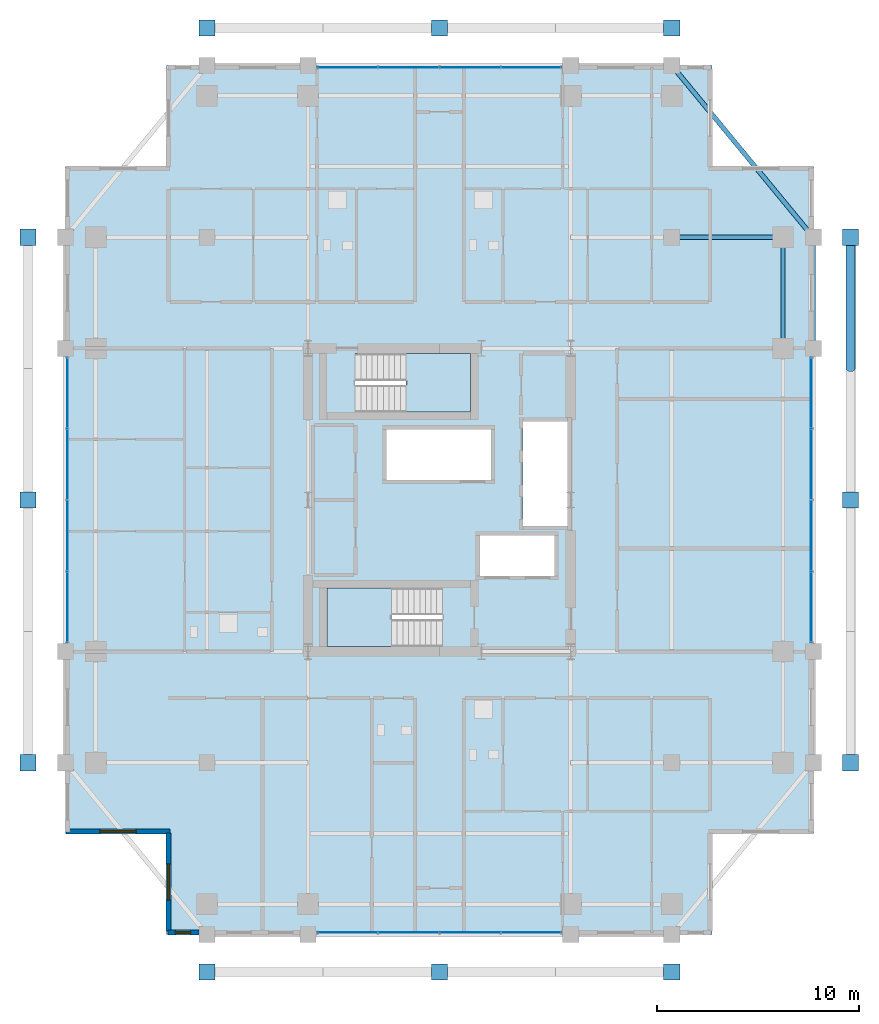
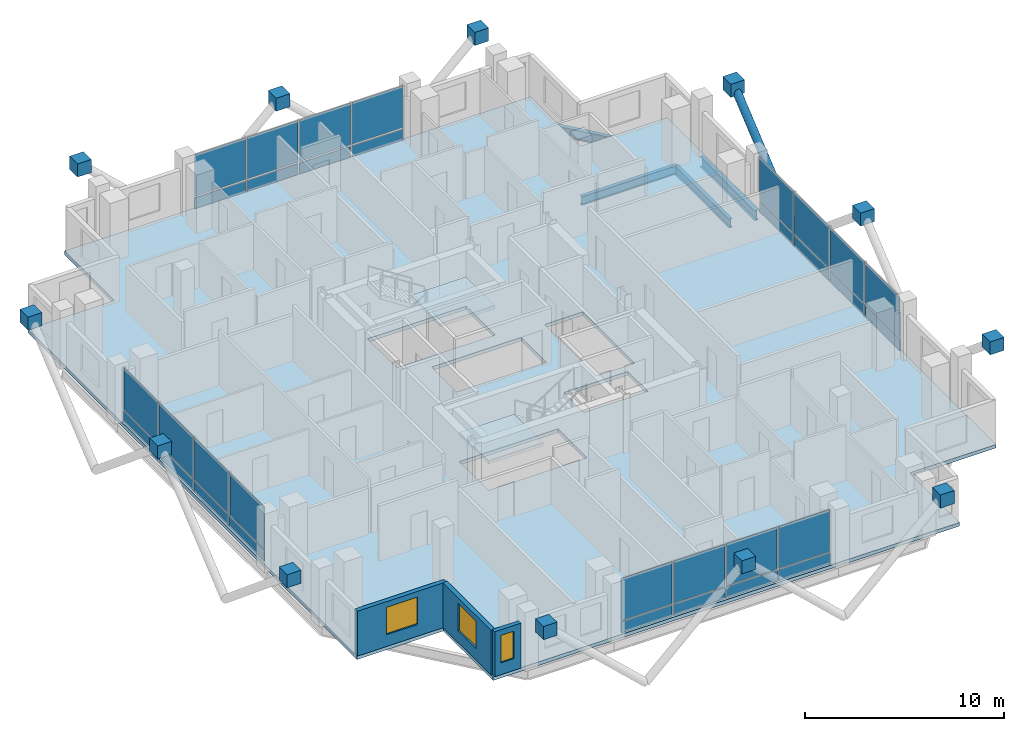
# One storey, part 17 of 24: 44 plates, 4 beams, 3 slabs, 3 walls, 3 windows, 1 member, 3 openings, 6 elements without a shape of their own.
"""IFC4 building model written with IfcOpenShell, lengths in metres."""

from ifc_helpers import new_model, si_unit, direction, frame, frame_2d, origin, origin_2d, place, context, subcontext, project, spatial, polyline, rectangle, hollow_circle, i_section, outline, extrude, material, layer, layer_set, material_profile, profile_set, type_object, element, fill, aggregate, save


model = new_model("IFC4")

# Units and contexts
model_context = context("Model", 3, precision=1e-05, world=origin(), true_north=direction((0.0, 1.0)))
body_context = subcontext(model_context, "Body", "Model", "MODEL_VIEW")
ifc_project = project(units=[si_unit("LENGTHUNIT", "METRE"), si_unit("AREAUNIT", "SQUARE_METRE"), si_unit("VOLUMEUNIT", "CUBIC_METRE"), si_unit("PLANEANGLEUNIT", "RADIAN"), si_unit("MASSUNIT", "GRAM", prefix="KILO")], contexts=[model_context])

# Site, building, storey
site_placement = place(None, origin())
site = spatial("IfcSite", under=ifc_project, at=site_placement, CompositionType="ELEMENT")
building_placement = place(site_placement, origin())
building = spatial("IfcBuilding", under=site, at=building_placement, Name="Barlavira Tower and Art Museum", CompositionType="ELEMENT")
storey_placement = place(building_placement, frame((0.0, 0.0, 183.60009765625)))
storey = spatial("IfcBuildingStorey", under=building, at=storey_placement, Name="L47", CompositionType="ELEMENT", Elevation=183.60009765625)

# Member
ifc_material_1 = material(Name="Steel S355", Category="steel")
ifc_material_profile_1 = material_profile(ifc_material_1, hollow_circle(Radius=0.228515625, WallThickness=0.02001953125, at=origin_2d()), Name="CHS 457.0x20.0")
ifc_profile_set_1 = profile_set([ifc_material_profile_1], Name="Steel S355")
member_type = type_object("IfcMemberType", Name="Pale-Metal Exoskeleton Diagrid Tube CHS 457x20 Steel S355", PredefinedType="BRACE", material=ifc_profile_set_1)
member_placement = place(storey_placement, frame((20.35009765625, 6.5, -1.920166015625), z_axis=(0.0, 0.76918185268, 0.639029950399), x_axis=(-1.0, 0.0, 0.0)))
element("IfcMember", 1, at=member_placement, inside=storey, type_object=member_type, Name="L47 Exoskeleton Diagrid Tube E", PredefinedType="BRACE", context=body_context, shape_type="SweptSolid", body=[
    extrude(hollow_circle(Radius=0.228515625, WallThickness=0.02001953125, at=origin_2d()), origin(), (0.0, 0.0, 1.0), 8.450439453125),
])

# Beams
ifc_material_profile_2 = material_profile(ifc_material_1, i_section(OverallWidth=0.22998046875, OverallDepth=0.616943359375, WebThickness=0.01318359375, FlangeThickness=0.022216796875, at=origin_2d()), Name="W610x140.0")
ifc_profile_set_2 = profile_set([ifc_material_profile_2], Name="Steel S355")
beam_type_1 = type_object("IfcBeamType", Name="Upper Shaft Spandrel Edge Beam W610x140 Steel S355", PredefinedType="SPANDREL", material=ifc_profile_set_2)
beam_1_placement = place(storey_placement, frame((18.5, 7.5, -0.528564453125), z_axis=(0.0, 1.0, 0.0), x_axis=(-1.0, 0.0, 0.0)))
element("IfcBeam", 2, at=beam_1_placement, inside=storey, type_object=beam_type_1, Name="L47 Spandrel 7", PredefinedType="SPANDREL", context=body_context, shape_type="SweptSolid", body=[
    extrude(i_section(OverallWidth=0.22998046875, OverallDepth=0.616943359375, WebThickness=0.01318359375, FlangeThickness=0.022216796875, at=origin_2d()), origin(), (0.0, 0.0, 1.0), 5.5),
])
beam_2_placement = place(storey_placement, frame((18.5, 13.0, -0.528564453125), z_axis=(-0.635707252861, 0.771930235617, 0.0), x_axis=(-0.771930235617, -0.635707252861, 0.0)))
element("IfcBeam", 3, at=beam_2_placement, inside=storey, type_object=beam_type_1, Name="L47 Spandrel 8", PredefinedType="SPANDREL", context=body_context, shape_type="SweptSolid", body=[
    extrude(i_section(OverallWidth=0.22998046875, OverallDepth=0.616943359375, WebThickness=0.01318359375, FlangeThickness=0.022216796875, at=origin_2d()), origin(), (0.0, 0.0, 1.0), 11.011474609375),
])
ifc_material_profile_3 = material_profile(ifc_material_1, i_section(OverallWidth=0.2109375, OverallDepth=0.5390625, WebThickness=0.01171875, FlangeThickness=0.018798828125, at=origin_2d()), Name="W530x109.0")
ifc_profile_set_3 = profile_set([ifc_material_profile_3], Name="Steel S355")
beam_type_2 = type_object("IfcBeamType", Name="Zone 3-4 Primary Floor Girder W530x109 Steel S355", PredefinedType="BEAM", material=ifc_profile_set_3)
for number, where, z_axis, x_axis, name in (
    (4, (17.0, 7.5, -0.489501953125), (0.0, 1.0, 0.0), (-1.0, 0.0, 0.0), "L47 Girder M-E3"),
    (5, (11.5, 13.0, -0.489501953125), (1.0, 0.0, 0.0), (0.0, 1.0, 0.0), "L47 Girder I-N4"),
):
    element("IfcBeam", number, at=place(storey_placement, frame(where, z_axis=z_axis, x_axis=x_axis)), inside=storey, type_object=beam_type_2, Name=name, PredefinedType="BEAM", context=body_context, shape_type="SweptSolid", body=[
        extrude(i_section(OverallWidth=0.2109375, OverallDepth=0.5390625, WebThickness=0.01171875, FlangeThickness=0.018798828125, at=origin_2d()), origin(), (0.0, 0.0, 1.0), 5.5),
    ])

# Curtain wall, plates
ifc_material_2 = material(Name="Low-iron coastal laminated glass", Category="glass")
ifc_layer_1 = layer(ifc_material_2, 0.199951171875, Name="Low-iron coastal laminated glass")
ifc_layer_set_1 = layer_set([ifc_layer_1], Name="Low-iron coastal laminated glass")
curtain_wall_type = type_object("IfcCurtainWallType", Name="Pale-Metal Unitised Curtain Wall Zone 3", PredefinedType="NOTDEFINED", material=ifc_layer_set_1)
curtain_wall_1_placement = place(storey_placement, origin())
curtain_wall_1 = element("IfcCurtainWall", 6, at=curtain_wall_1_placement, inside=storey, type_object=curtain_wall_type, Name="L47 Curtain Wall CW3-L47-S-B3", PredefinedType="NOTDEFINED")
ifc_material_3 = material(Name="Pale anodised aluminium", Category="aluminium")
ifc_layer_2 = layer(ifc_material_3, 0.044921875, Name="Pale anodised aluminium")
ifc_layer_set_2 = layer_set([ifc_layer_2], Name="Pale anodised aluminium")
plate_type_1 = type_object("IfcPlateType", Name="Curtain Wall Pale-Metal Spandrel Panel 45", PredefinedType="CURTAIN_PANEL", material=ifc_layer_set_2)
plate_1_placement = place(storey_placement, frame((-4.56005859375, -21.39990234375, 0.039794921875), z_axis=(0.0, 0.0, 1.0), x_axis=(1.0, 0.0, 0.0)))
plate_1 = element("IfcPlate", 7, at=plate_1_placement, type_object=plate_type_1, Name="CW3-L47-S-B3 Spandrel Panel 0", PredefinedType="CURTAIN_PANEL", context=body_context, shape_type="SweptSolid", body=[
    extrude(rectangle(XDim=2.93994140625, YDim=0.044921875, at=origin_2d()), origin(), (0.0, 0.0, 1.0), 0.6640625),
])
plate_2_placement = place(storey_placement, frame((-1.52001953125, -21.39990234375, 0.039794921875), z_axis=(0.0, 0.0, 1.0), x_axis=(1.0, 0.0, 0.0)))
plate_2 = element("IfcPlate", 8, at=plate_2_placement, type_object=plate_type_1, Name="CW3-L47-S-B3 Spandrel Panel 1", PredefinedType="CURTAIN_PANEL", context=body_context, shape_type="SweptSolid", body=[
    extrude(rectangle(XDim=2.93994140625, YDim=0.044921875, at=origin_2d()), origin(), (0.0, 0.0, 1.0), 0.6640625),
])
plate_3_placement = place(storey_placement, frame((1.52001953125, -21.39990234375, 0.039794921875), z_axis=(0.0, 0.0, 1.0), x_axis=(1.0, 0.0, 0.0)))
plate_3 = element("IfcPlate", 9, at=plate_3_placement, type_object=plate_type_1, Name="CW3-L47-S-B3 Spandrel Panel 2", PredefinedType="CURTAIN_PANEL", context=body_context, shape_type="SweptSolid", body=[
    extrude(rectangle(XDim=2.93994140625, YDim=0.044921875, at=origin_2d()), origin(), (0.0, 0.0, 1.0), 0.6640625),
])
plate_4_placement = place(storey_placement, frame((4.56005859375, -21.39990234375, 0.039794921875), z_axis=(0.0, 0.0, 1.0), x_axis=(1.0, 0.0, 0.0)))
plate_4 = element("IfcPlate", 10, at=plate_4_placement, type_object=plate_type_1, Name="CW3-L47-S-B3 Spandrel Panel 3", PredefinedType="CURTAIN_PANEL", context=body_context, shape_type="SweptSolid", body=[
    extrude(rectangle(XDim=2.93994140625, YDim=0.044921875, at=origin_2d()), origin(), (0.0, 0.0, 1.0), 0.6640625),
])

curtain_wall_2_placement = place(storey_placement, origin())
curtain_wall_2 = element("IfcCurtainWall", 11, at=curtain_wall_2_placement, inside=storey, type_object=curtain_wall_type, Name="L47 Curtain Wall CW3-L47-N-B3", PredefinedType="NOTDEFINED")
plate_5_placement = place(storey_placement, frame((4.56005859375, 21.39990234375, 0.039794921875), z_axis=(0.0, 0.0, 1.0), x_axis=(-1.0, 0.0, 0.0)))
plate_5 = element("IfcPlate", 12, at=plate_5_placement, type_object=plate_type_1, Name="CW3-L47-N-B3 Spandrel Panel 0", PredefinedType="CURTAIN_PANEL", context=body_context, shape_type="SweptSolid", body=[
    extrude(rectangle(XDim=2.93994140625, YDim=0.044921875, at=origin_2d()), origin(), (0.0, 0.0, 1.0), 0.6640625),
])
plate_6_placement = place(storey_placement, frame((1.52001953125, 21.39990234375, 0.039794921875), z_axis=(0.0, 0.0, 1.0), x_axis=(-1.0, 0.0, 0.0)))
plate_6 = element("IfcPlate", 13, at=plate_6_placement, type_object=plate_type_1, Name="CW3-L47-N-B3 Spandrel Panel 1", PredefinedType="CURTAIN_PANEL", context=body_context, shape_type="SweptSolid", body=[
    extrude(rectangle(XDim=2.93994140625, YDim=0.044921875, at=origin_2d()), origin(), (0.0, 0.0, 1.0), 0.6640625),
])
plate_7_placement = place(storey_placement, frame((-1.52001953125, 21.39990234375, 0.039794921875), z_axis=(0.0, 0.0, 1.0), x_axis=(-1.0, 0.0, 0.0)))
plate_7 = element("IfcPlate", 14, at=plate_7_placement, type_object=plate_type_1, Name="CW3-L47-N-B3 Spandrel Panel 2", PredefinedType="CURTAIN_PANEL", context=body_context, shape_type="SweptSolid", body=[
    extrude(rectangle(XDim=2.93994140625, YDim=0.044921875, at=origin_2d()), origin(), (0.0, 0.0, 1.0), 0.6640625),
])
plate_8_placement = place(storey_placement, frame((-4.56005859375, 21.39990234375, 0.039794921875), z_axis=(0.0, 0.0, 1.0), x_axis=(-1.0, 0.0, 0.0)))
plate_8 = element("IfcPlate", 15, at=plate_8_placement, type_object=plate_type_1, Name="CW3-L47-N-B3 Spandrel Panel 3", PredefinedType="CURTAIN_PANEL", context=body_context, shape_type="SweptSolid", body=[
    extrude(rectangle(XDim=2.93994140625, YDim=0.044921875, at=origin_2d()), origin(), (0.0, 0.0, 1.0), 0.6640625),
])

curtain_wall_3_placement = place(storey_placement, origin())
curtain_wall_3 = element("IfcCurtainWall", 16, at=curtain_wall_3_placement, inside=storey, type_object=curtain_wall_type, Name="L47 Curtain Wall CW3-L47-W-B3", PredefinedType="NOTDEFINED")
plate_9_placement = place(storey_placement, frame((-18.39990234375, 5.31005859375, 0.039794921875), z_axis=(0.0, 0.0, 1.0), x_axis=(0.0, -1.0, 0.0)))
plate_9 = element("IfcPlate", 17, at=plate_9_placement, type_object=plate_type_1, Name="CW3-L47-W-B3 Spandrel Panel 0", PredefinedType="CURTAIN_PANEL", context=body_context, shape_type="SweptSolid", body=[
    extrude(rectangle(XDim=3.43994140625, YDim=0.044921875, at=origin_2d()), origin(), (0.0, 0.0, 1.0), 0.6640625),
])
plate_10_placement = place(storey_placement, frame((-18.39990234375, 1.77001953125, 0.039794921875), z_axis=(0.0, 0.0, 1.0), x_axis=(0.0, -1.0, 0.0)))
plate_10 = element("IfcPlate", 18, at=plate_10_placement, type_object=plate_type_1, Name="CW3-L47-W-B3 Spandrel Panel 1", PredefinedType="CURTAIN_PANEL", context=body_context, shape_type="SweptSolid", body=[
    extrude(rectangle(XDim=3.43994140625, YDim=0.044921875, at=origin_2d()), origin(), (0.0, 0.0, 1.0), 0.6640625),
])
plate_11_placement = place(storey_placement, frame((-18.39990234375, -1.77001953125, 0.039794921875), z_axis=(0.0, 0.0, 1.0), x_axis=(0.0, -1.0, 0.0)))
plate_11 = element("IfcPlate", 19, at=plate_11_placement, type_object=plate_type_1, Name="CW3-L47-W-B3 Spandrel Panel 2", PredefinedType="CURTAIN_PANEL", context=body_context, shape_type="SweptSolid", body=[
    extrude(rectangle(XDim=3.43994140625, YDim=0.044921875, at=origin_2d()), origin(), (0.0, 0.0, 1.0), 0.6640625),
])
plate_12_placement = place(storey_placement, frame((-18.39990234375, -5.31005859375, 0.039794921875), z_axis=(0.0, 0.0, 1.0), x_axis=(0.0, -1.0, 0.0)))
plate_12 = element("IfcPlate", 20, at=plate_12_placement, type_object=plate_type_1, Name="CW3-L47-W-B3 Spandrel Panel 3", PredefinedType="CURTAIN_PANEL", context=body_context, shape_type="SweptSolid", body=[
    extrude(rectangle(XDim=3.43994140625, YDim=0.044921875, at=origin_2d()), origin(), (0.0, 0.0, 1.0), 0.6640625),
])

curtain_wall_4_placement = place(storey_placement, origin())
curtain_wall_4 = element("IfcCurtainWall", 21, at=curtain_wall_4_placement, inside=storey, type_object=curtain_wall_type, Name="L47 Curtain Wall CW3-L47-E-B3", PredefinedType="NOTDEFINED")
plate_13_placement = place(storey_placement, frame((18.39990234375, -5.31005859375, 0.039794921875), z_axis=(0.0, 0.0, 1.0), x_axis=(0.0, 1.0, 0.0)))
plate_13 = element("IfcPlate", 22, at=plate_13_placement, type_object=plate_type_1, Name="CW3-L47-E-B3 Spandrel Panel 0", PredefinedType="CURTAIN_PANEL", context=body_context, shape_type="SweptSolid", body=[
    extrude(rectangle(XDim=3.43994140625, YDim=0.044921875, at=origin_2d()), origin(), (0.0, 0.0, 1.0), 0.6640625),
])
plate_14_placement = place(storey_placement, frame((18.39990234375, -1.77001953125, 0.039794921875), z_axis=(0.0, 0.0, 1.0), x_axis=(0.0, 1.0, 0.0)))
plate_14 = element("IfcPlate", 23, at=plate_14_placement, type_object=plate_type_1, Name="CW3-L47-E-B3 Spandrel Panel 1", PredefinedType="CURTAIN_PANEL", context=body_context, shape_type="SweptSolid", body=[
    extrude(rectangle(XDim=3.43994140625, YDim=0.044921875, at=origin_2d()), origin(), (0.0, 0.0, 1.0), 0.6640625),
])
plate_15_placement = place(storey_placement, frame((18.39990234375, 1.77001953125, 0.039794921875), z_axis=(0.0, 0.0, 1.0), x_axis=(0.0, 1.0, 0.0)))
plate_15 = element("IfcPlate", 24, at=plate_15_placement, type_object=plate_type_1, Name="CW3-L47-E-B3 Spandrel Panel 2", PredefinedType="CURTAIN_PANEL", context=body_context, shape_type="SweptSolid", body=[
    extrude(rectangle(XDim=3.43994140625, YDim=0.044921875, at=origin_2d()), origin(), (0.0, 0.0, 1.0), 0.6640625),
])
plate_16_placement = place(storey_placement, frame((18.39990234375, 5.31005859375, 0.039794921875), z_axis=(0.0, 0.0, 1.0), x_axis=(0.0, 1.0, 0.0)))
plate_16 = element("IfcPlate", 25, at=plate_16_placement, type_object=plate_type_1, Name="CW3-L47-E-B3 Spandrel Panel 3", PredefinedType="CURTAIN_PANEL", context=body_context, shape_type="SweptSolid", body=[
    extrude(rectangle(XDim=3.43994140625, YDim=0.044921875, at=origin_2d()), origin(), (0.0, 0.0, 1.0), 0.6640625),
])

# Plate
ifc_layer_3 = layer(ifc_material_2, 0.028076171875, Name="Low-iron coastal laminated glass")
ifc_layer_set_3 = layer_set([ifc_layer_3], Name="Low-iron coastal laminated glass")
plate_type_2 = type_object("IfcPlateType", Name="Curtain Wall Vision Glazing Panel 28", PredefinedType="CURTAIN_PANEL", material=ifc_layer_set_3)
plate_17_placement = place(storey_placement, frame((-4.56005859375, -21.39990234375, 0.7841796875), z_axis=(0.0, 0.0, 1.0), x_axis=(1.0, 0.0, 0.0)))
plate_17 = element("IfcPlate", 26, at=plate_17_placement, type_object=plate_type_2, Name="CW3-L47-S-B3 Vision Glass Panel 0", PredefinedType="CURTAIN_PANEL", context=body_context, shape_type="SweptSolid", body=[
    extrude(rectangle(XDim=2.93994140625, YDim=0.028076171875, at=origin_2d()), origin(), (0.0, 0.0, 1.0), 2.555908203125),
])

plate_18_placement = place(storey_placement, frame((-1.52001953125, -21.39990234375, 0.7841796875), z_axis=(0.0, 0.0, 1.0), x_axis=(1.0, 0.0, 0.0)))
plate_18 = element("IfcPlate", 27, at=plate_18_placement, type_object=plate_type_2, Name="CW3-L47-S-B3 Vision Glass Panel 1", PredefinedType="CURTAIN_PANEL", context=body_context, shape_type="SweptSolid", body=[
    extrude(rectangle(XDim=2.93994140625, YDim=0.028076171875, at=origin_2d()), origin(), (0.0, 0.0, 1.0), 2.555908203125),
])

plate_19_placement = place(storey_placement, frame((1.52001953125, -21.39990234375, 0.7841796875), z_axis=(0.0, 0.0, 1.0), x_axis=(1.0, 0.0, 0.0)))
plate_19 = element("IfcPlate", 28, at=plate_19_placement, type_object=plate_type_2, Name="CW3-L47-S-B3 Vision Glass Panel 2", PredefinedType="CURTAIN_PANEL", context=body_context, shape_type="SweptSolid", body=[
    extrude(rectangle(XDim=2.93994140625, YDim=0.028076171875, at=origin_2d()), origin(), (0.0, 0.0, 1.0), 2.555908203125),
])

plate_20_placement = place(storey_placement, frame((4.56005859375, -21.39990234375, 0.7841796875), z_axis=(0.0, 0.0, 1.0), x_axis=(1.0, 0.0, 0.0)))
plate_20 = element("IfcPlate", 29, at=plate_20_placement, type_object=plate_type_2, Name="CW3-L47-S-B3 Vision Glass Panel 3", PredefinedType="CURTAIN_PANEL", context=body_context, shape_type="SweptSolid", body=[
    extrude(rectangle(XDim=2.93994140625, YDim=0.028076171875, at=origin_2d()), origin(), (0.0, 0.0, 1.0), 2.555908203125),
])

aggregate(curtain_wall_1, [plate_1, plate_17, plate_2, plate_18, plate_3, plate_19, plate_4, plate_20])

plate_21_placement = place(storey_placement, frame((4.56005859375, 21.39990234375, 0.7841796875), z_axis=(0.0, 0.0, 1.0), x_axis=(-1.0, 0.0, 0.0)))
plate_21 = element("IfcPlate", 30, at=plate_21_placement, type_object=plate_type_2, Name="CW3-L47-N-B3 Vision Glass Panel 0", PredefinedType="CURTAIN_PANEL", context=body_context, shape_type="SweptSolid", body=[
    extrude(rectangle(XDim=2.93994140625, YDim=0.028076171875, at=origin_2d()), origin(), (0.0, 0.0, 1.0), 2.555908203125),
])

plate_22_placement = place(storey_placement, frame((1.52001953125, 21.39990234375, 0.7841796875), z_axis=(0.0, 0.0, 1.0), x_axis=(-1.0, 0.0, 0.0)))
plate_22 = element("IfcPlate", 31, at=plate_22_placement, type_object=plate_type_2, Name="CW3-L47-N-B3 Vision Glass Panel 1", PredefinedType="CURTAIN_PANEL", context=body_context, shape_type="SweptSolid", body=[
    extrude(rectangle(XDim=2.93994140625, YDim=0.028076171875, at=origin_2d()), origin(), (0.0, 0.0, 1.0), 2.555908203125),
])

plate_23_placement = place(storey_placement, frame((-1.52001953125, 21.39990234375, 0.7841796875), z_axis=(0.0, 0.0, 1.0), x_axis=(-1.0, 0.0, 0.0)))
plate_23 = element("IfcPlate", 32, at=plate_23_placement, type_object=plate_type_2, Name="CW3-L47-N-B3 Vision Glass Panel 2", PredefinedType="CURTAIN_PANEL", context=body_context, shape_type="SweptSolid", body=[
    extrude(rectangle(XDim=2.93994140625, YDim=0.028076171875, at=origin_2d()), origin(), (0.0, 0.0, 1.0), 2.555908203125),
])

plate_24_placement = place(storey_placement, frame((-4.56005859375, 21.39990234375, 0.7841796875), z_axis=(0.0, 0.0, 1.0), x_axis=(-1.0, 0.0, 0.0)))
plate_24 = element("IfcPlate", 33, at=plate_24_placement, type_object=plate_type_2, Name="CW3-L47-N-B3 Vision Glass Panel 3", PredefinedType="CURTAIN_PANEL", context=body_context, shape_type="SweptSolid", body=[
    extrude(rectangle(XDim=2.93994140625, YDim=0.028076171875, at=origin_2d()), origin(), (0.0, 0.0, 1.0), 2.555908203125),
])

aggregate(curtain_wall_2, [plate_5, plate_21, plate_6, plate_22, plate_7, plate_23, plate_8, plate_24])

plate_25_placement = place(storey_placement, frame((-18.39990234375, 5.31005859375, 0.7841796875), z_axis=(0.0, 0.0, 1.0), x_axis=(0.0, -1.0, 0.0)))
plate_25 = element("IfcPlate", 34, at=plate_25_placement, type_object=plate_type_2, Name="CW3-L47-W-B3 Vision Glass Panel 0", PredefinedType="CURTAIN_PANEL", context=body_context, shape_type="SweptSolid", body=[
    extrude(rectangle(XDim=3.43994140625, YDim=0.028076171875, at=origin_2d()), origin(), (0.0, 0.0, 1.0), 2.555908203125),
])

plate_26_placement = place(storey_placement, frame((-18.39990234375, 1.77001953125, 0.7841796875), z_axis=(0.0, 0.0, 1.0), x_axis=(0.0, -1.0, 0.0)))
plate_26 = element("IfcPlate", 35, at=plate_26_placement, type_object=plate_type_2, Name="CW3-L47-W-B3 Vision Glass Panel 1", PredefinedType="CURTAIN_PANEL", context=body_context, shape_type="SweptSolid", body=[
    extrude(rectangle(XDim=3.43994140625, YDim=0.028076171875, at=origin_2d()), origin(), (0.0, 0.0, 1.0), 2.555908203125),
])

plate_27_placement = place(storey_placement, frame((-18.39990234375, -1.77001953125, 0.7841796875), z_axis=(0.0, 0.0, 1.0), x_axis=(0.0, -1.0, 0.0)))
plate_27 = element("IfcPlate", 36, at=plate_27_placement, type_object=plate_type_2, Name="CW3-L47-W-B3 Vision Glass Panel 2", PredefinedType="CURTAIN_PANEL", context=body_context, shape_type="SweptSolid", body=[
    extrude(rectangle(XDim=3.43994140625, YDim=0.028076171875, at=origin_2d()), origin(), (0.0, 0.0, 1.0), 2.555908203125),
])

plate_28_placement = place(storey_placement, frame((-18.39990234375, -5.31005859375, 0.7841796875), z_axis=(0.0, 0.0, 1.0), x_axis=(0.0, -1.0, 0.0)))
plate_28 = element("IfcPlate", 37, at=plate_28_placement, type_object=plate_type_2, Name="CW3-L47-W-B3 Vision Glass Panel 3", PredefinedType="CURTAIN_PANEL", context=body_context, shape_type="SweptSolid", body=[
    extrude(rectangle(XDim=3.43994140625, YDim=0.028076171875, at=origin_2d()), origin(), (0.0, 0.0, 1.0), 2.555908203125),
])

aggregate(curtain_wall_3, [plate_9, plate_25, plate_10, plate_26, plate_11, plate_27, plate_12, plate_28])

plate_29_placement = place(storey_placement, frame((18.39990234375, -5.31005859375, 0.7841796875), z_axis=(0.0, 0.0, 1.0), x_axis=(0.0, 1.0, 0.0)))
plate_29 = element("IfcPlate", 38, at=plate_29_placement, type_object=plate_type_2, Name="CW3-L47-E-B3 Vision Glass Panel 0", PredefinedType="CURTAIN_PANEL", context=body_context, shape_type="SweptSolid", body=[
    extrude(rectangle(XDim=3.43994140625, YDim=0.028076171875, at=origin_2d()), origin(), (0.0, 0.0, 1.0), 2.555908203125),
])

plate_30_placement = place(storey_placement, frame((18.39990234375, -1.77001953125, 0.7841796875), z_axis=(0.0, 0.0, 1.0), x_axis=(0.0, 1.0, 0.0)))
plate_30 = element("IfcPlate", 39, at=plate_30_placement, type_object=plate_type_2, Name="CW3-L47-E-B3 Vision Glass Panel 1", PredefinedType="CURTAIN_PANEL", context=body_context, shape_type="SweptSolid", body=[
    extrude(rectangle(XDim=3.43994140625, YDim=0.028076171875, at=origin_2d()), origin(), (0.0, 0.0, 1.0), 2.555908203125),
])

plate_31_placement = place(storey_placement, frame((18.39990234375, 1.77001953125, 0.7841796875), z_axis=(0.0, 0.0, 1.0), x_axis=(0.0, 1.0, 0.0)))
plate_31 = element("IfcPlate", 40, at=plate_31_placement, type_object=plate_type_2, Name="CW3-L47-E-B3 Vision Glass Panel 2", PredefinedType="CURTAIN_PANEL", context=body_context, shape_type="SweptSolid", body=[
    extrude(rectangle(XDim=3.43994140625, YDim=0.028076171875, at=origin_2d()), origin(), (0.0, 0.0, 1.0), 2.555908203125),
])

plate_32_placement = place(storey_placement, frame((18.39990234375, 5.31005859375, 0.7841796875), z_axis=(0.0, 0.0, 1.0), x_axis=(0.0, 1.0, 0.0)))
plate_32 = element("IfcPlate", 41, at=plate_32_placement, type_object=plate_type_2, Name="CW3-L47-E-B3 Vision Glass Panel 3", PredefinedType="CURTAIN_PANEL", context=body_context, shape_type="SweptSolid", body=[
    extrude(rectangle(XDim=3.43994140625, YDim=0.028076171875, at=origin_2d()), origin(), (0.0, 0.0, 1.0), 2.555908203125),
])

aggregate(curtain_wall_4, [plate_13, plate_29, plate_14, plate_30, plate_15, plate_31, plate_16, plate_32])

# Plates
ifc_layer_4 = layer(ifc_material_1, 0.800048828125, Name="Steel S355")
ifc_layer_set_4 = layer_set([ifc_layer_4], Name="Steel S355")
plate_type_3 = type_object("IfcPlateType", Name="Exoskeleton Solid Steel Node Cap Plate Assembly Type 3 Steel S355", PredefinedType="USERDEFINED", material=ifc_layer_set_4)
for number, where, z_axis, x_axis, name in (
    (42, (-11.5, -23.35009765625, 3.080078125), (0.0, 0.0, 1.0), (1.0, 0.0, 0.0), "Exoskeleton Node S ND-L47-0485"),
    (43, (0.0, -23.35009765625, 3.080078125), (0.0, 0.0, 1.0), (1.0, 0.0, 0.0), "Exoskeleton Node S ND-L47-0486"),
    (44, (11.5, -23.35009765625, 3.080078125), (0.0, 0.0, 1.0), (1.0, 0.0, 0.0), "Exoskeleton Node S ND-L47-0487"),
    (45, (-11.5, 23.35009765625, 3.080078125), (0.0, 0.0, 1.0), (1.0, 0.0, 0.0), "Exoskeleton Node N ND-L47-0493"),
    (46, (0.0, 23.35009765625, 3.080078125), (0.0, 0.0, 1.0), (1.0, 0.0, 0.0), "Exoskeleton Node N ND-L47-0494"),
    (47, (11.5, 23.35009765625, 3.080078125), (0.0, 0.0, 1.0), (1.0, 0.0, 0.0), "Exoskeleton Node N ND-L47-0495"),
    (48, (-20.35009765625, -13.0, 3.080078125), (0.0, 0.0, 1.0), (1.0, 0.0, 0.0), "Exoskeleton Node W ND-L47-0501"),
    (49, (-20.35009765625, 0.0, 3.080078125), (0.0, 0.0, 1.0), (1.0, 0.0, 0.0), "Exoskeleton Node W ND-L47-0502"),
    (50, (-20.35009765625, 13.0, 3.080078125), (0.0, 0.0, 1.0), (1.0, 0.0, 0.0), "Exoskeleton Node W ND-L47-0503"),
    (51, (20.35009765625, -13.0, 3.080078125), (0.0, 0.0, 1.0), (1.0, 0.0, 0.0), "Exoskeleton Node E ND-L47-0509"),
    (52, (20.35009765625, 0.0, 3.080078125), (0.0, 0.0, 1.0), (1.0, 0.0, 0.0), "Exoskeleton Node E ND-L47-0510"),
    (53, (20.35009765625, 13.0, 3.080078125), (0.0, 0.0, 1.0), (1.0, 0.0, 0.0), "Exoskeleton Node E ND-L47-0511"),
):
    element("IfcPlate", number, at=place(storey_placement, frame(where, z_axis=z_axis, x_axis=x_axis)), inside=storey, type_object=plate_type_3, Name=name, ObjectType="FLANGE_PLATE", PredefinedType="USERDEFINED", context=body_context, shape_type="SweptSolid", body=[
        extrude(rectangle(XDim=0.800048828125, YDim=0.800048828125, at=origin_2d()), origin(), (0.0, 0.0, 1.0), 0.800048828125),
    ])

# Stair, slab
ifc_material_4 = material(Name="Concrete C45", Category="concrete")
stair_type_1 = type_object("IfcStairType", Name="Tower North Dog-Leg Exit Stair Assembly Concrete C45", PredefinedType="TWO_QUARTER_TURN_STAIR", material=ifc_material_4)
stair_1_placement = place(storey_placement, origin())
stair_1 = element("IfcStair", 54, at=stair_1_placement, inside=storey, type_object=stair_type_1, Name="L47 Tower North Exit Stair ST-T2", PredefinedType="TWO_QUARTER_TURN_STAIR")
ifc_layer_5 = layer(ifc_material_4, 0.199951171875, Name="Concrete C45")
ifc_layer_set_5 = layer_set([ifc_layer_5], Name="Concrete C45")
slab_type_1 = type_object("IfcSlabType", Name="Tower North Dog-Leg Exit Stair Half-Landing Slab 200 Concrete C45", PredefinedType="LANDING", material=ifc_layer_set_5)
slab_1_placement = place(storey_placement, frame((0.0, 0.0, 1.599853515625)))
slab_1 = element("IfcSlab", 55, at=slab_1_placement, type_object=slab_type_1, Name="ST-T2 landing 1", PredefinedType="LANDING", context=body_context, shape_type="SweptSolid", body=[
    extrude(outline(polyline([(-1.64990234375, 4.35009765625), (1.530029296875, 4.35009765625), (1.530029296875, 7.25), (-1.64990234375, 7.25), (-1.64990234375, 4.35009765625)])), origin(), (0.0, 0.0, 1.0), 0.199951171875),
])
aggregate(stair_1, [slab_1])

stair_type_2 = type_object("IfcStairType", Name="Tower South Dog-Leg Exit Stair Assembly Concrete C45", PredefinedType="TWO_QUARTER_TURN_STAIR", material=ifc_material_4)
stair_2_placement = place(storey_placement, origin())
stair_2 = element("IfcStair", 56, at=stair_2_placement, inside=storey, type_object=stair_type_2, Name="L47 Tower South Exit Stair ST-T1", PredefinedType="TWO_QUARTER_TURN_STAIR")
ifc_layer_6 = layer(ifc_material_4, 0.199951171875, Name="Concrete C45")
ifc_layer_set_6 = layer_set([ifc_layer_6], Name="Concrete C45")
slab_type_2 = type_object("IfcSlabType", Name="Tower South Dog-Leg Exit Stair Half-Landing Slab 200 Concrete C45", PredefinedType="LANDING", material=ifc_layer_set_6)
slab_2_placement = place(storey_placement, frame((0.0, 0.0, 1.599853515625)))
slab_2 = element("IfcSlab", 57, at=slab_2_placement, type_object=slab_type_2, Name="ST-T1 landing 1", PredefinedType="LANDING", context=body_context, shape_type="SweptSolid", body=[
    extrude(outline(polyline([(-2.3701171875, -4.35009765625), (-5.550048828125, -4.35009765625), (-5.550048828125, -7.25), (-2.3701171875, -7.25), (-2.3701171875, -4.35009765625)])), origin(), (0.0, 0.0, 1.0), 0.199951171875),
])
aggregate(stair_2, [slab_2])

# Slab
ifc_material_5 = material(Name="Concrete C50", Category="concrete")
ifc_layer_7 = layer(ifc_material_5, 0.199951171875, Name="Concrete C50")
ifc_layer_set_7 = layer_set([ifc_layer_7], Name="Concrete C50")
slab_type_3 = type_object("IfcSlabType", Name="Zone 3 Residential Composite Slab 200 Concrete C50", PredefinedType="FLOOR", material=ifc_layer_set_7)
slab_3_placement = place(storey_placement, frame((0.0, 0.0, -0.22021484375)))
element("IfcSlab", 58, at=slab_3_placement, inside=storey, type_object=slab_type_3, Name="L47 Tower Floor Slab", PredefinedType="FLOOR", context=body_context, shape_type="SweptSolid", body=[
    extrude(outline(polyline([(-13.5, -21.5), (13.5, -21.5), (13.5, -16.5), (18.5, -16.5), (18.5, 16.5), (13.5, 16.5), (13.5, 21.5), (-13.5, 21.5), (-13.5, 16.5), (-18.5, 16.5), (-18.5, -16.5), (-13.5, -16.5), (-13.5, -21.5)]), holes=[polyline([(0.14990234375, -4.35009765625), (-5.550048828125, -4.35009765625), (-5.550048828125, -7.25), (0.14990234375, -7.25), (0.14990234375, -4.35009765625)]), polyline([(-4.169921875, 4.35009765625), (1.530029296875, 4.35009765625), (1.530029296875, 7.25), (-4.169921875, 7.25), (-4.169921875, 4.35009765625)]), polyline([(4.14990234375, -1.2900390625), (6.35009765625, -1.2900390625), (6.35009765625, 3.889892578125), (4.14990234375, 3.889892578125), (4.14990234375, -1.2900390625)]), polyline([(-2.6201171875, 1.0), (2.56005859375, 1.0), (2.56005859375, 3.5), (-2.6201171875, 3.5), (-2.6201171875, 1.0)]), polyline([(2.0, -3.75), (5.699951171875, -3.75), (5.699951171875, -1.75), (2.0, -1.75), (2.0, -3.75)])]), origin(), (0.0, 0.0, 1.0), 0.22021484375),
])

# Wall, opening, window
ifc_material_6 = material(Name="Precast concrete C40", Category="concrete")
ifc_layer_8 = layer(ifc_material_6, 0.25, Name="Precast concrete C40")
ifc_layer_set_8 = layer_set([ifc_layer_8], Name="Precast concrete C40")
wall_type = type_object("IfcWallType", Name="Notched Corner Spandrel Wall 250 Precast Concrete C40", PredefinedType="SOLIDWALL", material=ifc_layer_set_8)
wall_1_placement = place(storey_placement, frame((-13.425048828125, -21.39990234375, 0.0), z_axis=(0.0, 0.0, 1.0), x_axis=(1.0, 0.0, 0.0)))
wall_1 = element("IfcWall", 59, at=wall_1_placement, inside=storey, type_object=wall_type, Name="L47 Coastal Facade Pier Wall CW3-L47-S-1", PredefinedType="SOLIDWALL", context=body_context, shape_type="SweptSolid", body=[
    extrude(rectangle(XDim=1.530029296875, YDim=0.25, at=frame_2d((0.76513671875, 0.0))), origin(), (0.0, 0.0, 1.0), 2.747802734375),
])
opening_1_placement = place(wall_1_placement, frame((0.363037109375, 0.0, 0.719970703125)))
opening_1 = element("IfcOpeningElement", 60, at=opening_1_placement, cuts=wall_1, Name="Opening WN-06", PredefinedType="OPENING", context=body_context, shape_type="SweptSolid", body=[
    extrude(rectangle(XDim=0.760009765625, YDim=1.679931640625, at=frame_2d((0.3798828125, 0.83984375))), frame((0.0, 0.135009765625, 0.0), z_axis=(0.0, -1.0, 0.0), x_axis=(1.0, 0.0, 0.0)), (0.0, 0.0, 1.0), 0.27001953125),
])
window_type_1 = type_object("IfcWindowType", Name="Recessed Narrow Pier Window 760x1680", PartitioningType="SINGLE_PANEL", PredefinedType="WINDOW", material=ifc_material_2)
window_1_placement = place(opening_1_placement, origin())
window_1 = element("IfcWindow", 61, at=window_1_placement, inside=storey, type_object=window_type_1, Name="L47 Punched Facade Window EWP-CW3-L47-S-1-1", OverallHeight=1.679931640625, OverallWidth=0.760009765625, PartitioningType="SINGLE_PANEL", PredefinedType="WINDOW", context=body_context, shape_type="SweptSolid", body=[
    extrude(rectangle(XDim=0.760009765625, YDim=1.679931640625, at=frame_2d((0.3798828125, 0.83984375))), frame((0.0, 0.030029296875, 0.0), z_axis=(0.0, -1.0, 0.0), x_axis=(1.0, 0.0, 0.0)), (0.0, 0.0, 1.0), 0.06005859375),
])
fill(opening_1, window_1)

wall_2_placement = place(storey_placement, frame((-18.47998046875, -16.39990234375, 0.0), z_axis=(0.0, 0.0, 1.0), x_axis=(1.0, 0.0, 0.0)))
wall_2 = element("IfcWall", 62, at=wall_2_placement, inside=storey, type_object=wall_type, Name="L47 Notch Corner Wall SW1", PredefinedType="SOLIDWALL", context=body_context, shape_type="SweptSolid", body=[
    extrude(rectangle(XDim=5.159912109375, YDim=0.25, at=frame_2d((2.580078125, 0.0))), origin(), (0.0, 0.0, 1.0), 2.747802734375),
])
opening_2_placement = place(wall_2_placement, frame((1.679931640625, 0.0, 0.719970703125)))
opening_2 = element("IfcOpeningElement", 63, at=opening_2_placement, cuts=wall_2, Name="Opening WN-01", PredefinedType="OPENING", context=body_context, shape_type="SweptSolid", body=[
    extrude(rectangle(XDim=1.800048828125, YDim=1.679931640625, at=frame_2d((0.89990234375, 0.83984375))), frame((0.0, 0.135009765625, 0.0), z_axis=(0.0, -1.0, 0.0), x_axis=(1.0, 0.0, 0.0)), (0.0, 0.0, 1.0), 0.27001953125),
])
window_type_2 = type_object("IfcWindowType", Name="Recessed Notch Corner Punch Window 1800x1680", PartitioningType="SINGLE_PANEL", PredefinedType="WINDOW", material=ifc_material_2)
window_2_placement = place(opening_2_placement, origin())
window_2 = element("IfcWindow", 64, at=window_2_placement, inside=storey, type_object=window_type_2, Name="L47 Punched Facade Window EW-NTC-L47-SW1-1", OverallHeight=1.679931640625, OverallWidth=1.800048828125, PartitioningType="SINGLE_PANEL", PredefinedType="WINDOW", context=body_context, shape_type="SweptSolid", body=[
    extrude(rectangle(XDim=1.800048828125, YDim=1.679931640625, at=frame_2d((0.89990234375, 0.83984375))), frame((0.0, 0.030029296875, 0.0), z_axis=(0.0, -1.0, 0.0), x_axis=(1.0, 0.0, 0.0)), (0.0, 0.0, 1.0), 0.06005859375),
])
fill(opening_2, window_2)

wall_3_placement = place(storey_placement, frame((-13.39990234375, -16.47998046875, 0.0), z_axis=(0.0, 0.0, 1.0), x_axis=(0.0, -1.0, 0.0)))
wall_3 = element("IfcWall", 65, at=wall_3_placement, inside=storey, type_object=wall_type, Name="L47 Notch Corner Wall SW2", PredefinedType="SOLIDWALL", context=body_context, shape_type="SweptSolid", body=[
    extrude(rectangle(XDim=4.840087890625, YDim=0.25, at=frame_2d((2.419921875, 0.0))), origin(), (0.0, 0.0, 1.0), 2.747802734375),
])
opening_3_placement = place(wall_3_placement, frame((1.52001953125, 0.0, 0.719970703125)))
opening_3 = element("IfcOpeningElement", 66, at=opening_3_placement, cuts=wall_3, Name="Opening WN-01", PredefinedType="OPENING", context=body_context, shape_type="SweptSolid", body=[
    extrude(rectangle(XDim=1.800048828125, YDim=1.679931640625, at=frame_2d((0.89990234375, 0.83984375))), frame((0.0, 0.135009765625, 0.0), z_axis=(0.0, -1.0, 0.0), x_axis=(1.0, 0.0, 0.0)), (0.0, 0.0, 1.0), 0.27001953125),
])
window_3_placement = place(opening_3_placement, origin())
window_3 = element("IfcWindow", 67, at=window_3_placement, inside=storey, type_object=window_type_2, Name="L47 Punched Facade Window EW-NTC-L47-SW2-1", OverallHeight=1.679931640625, OverallWidth=1.800048828125, PartitioningType="SINGLE_PANEL", PredefinedType="WINDOW", context=body_context, shape_type="SweptSolid", body=[
    extrude(rectangle(XDim=1.800048828125, YDim=1.679931640625, at=frame_2d((0.89990234375, 0.83984375))), frame((0.0, 0.030029296875, 0.0), z_axis=(0.0, -1.0, 0.0), x_axis=(1.0, 0.0, 0.0)), (0.0, 0.0, 1.0), 0.06005859375),
])
fill(opening_3, window_3)

save(model, "model.ifc")
